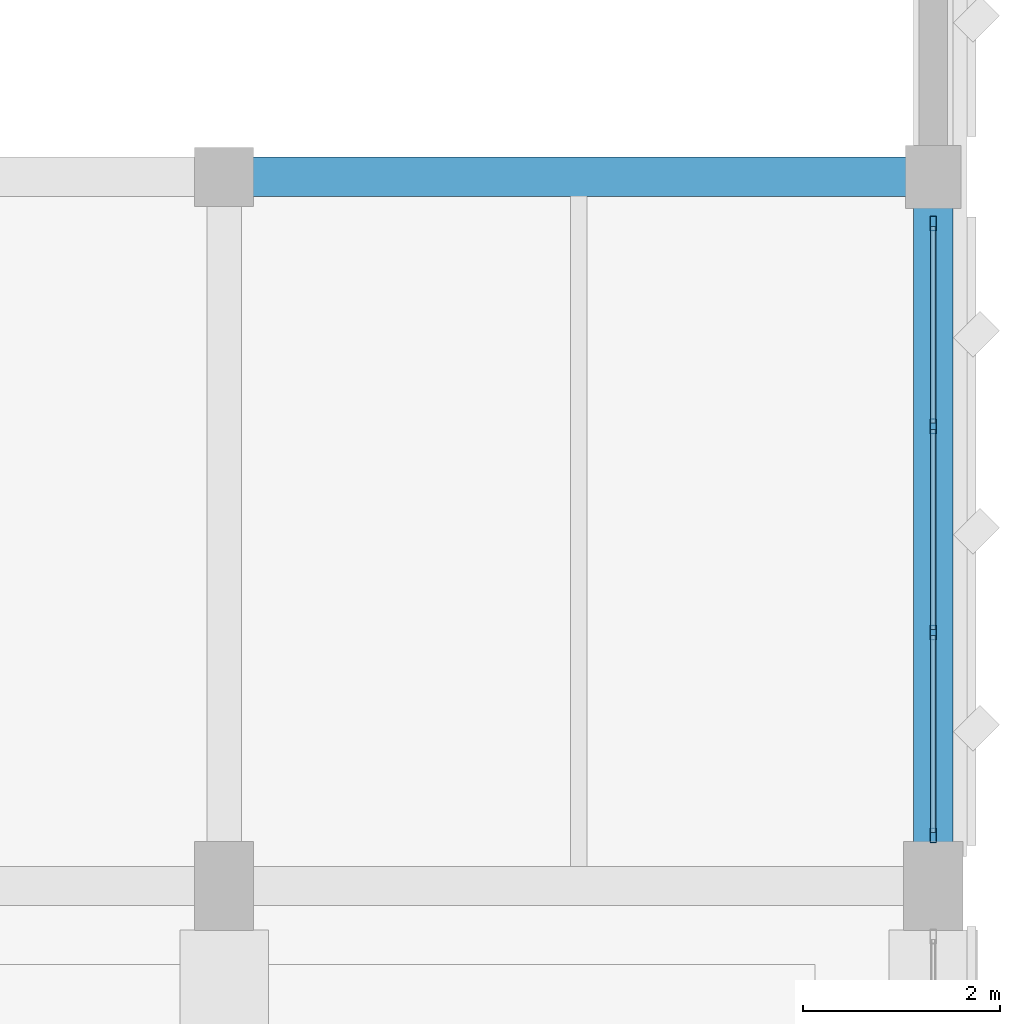
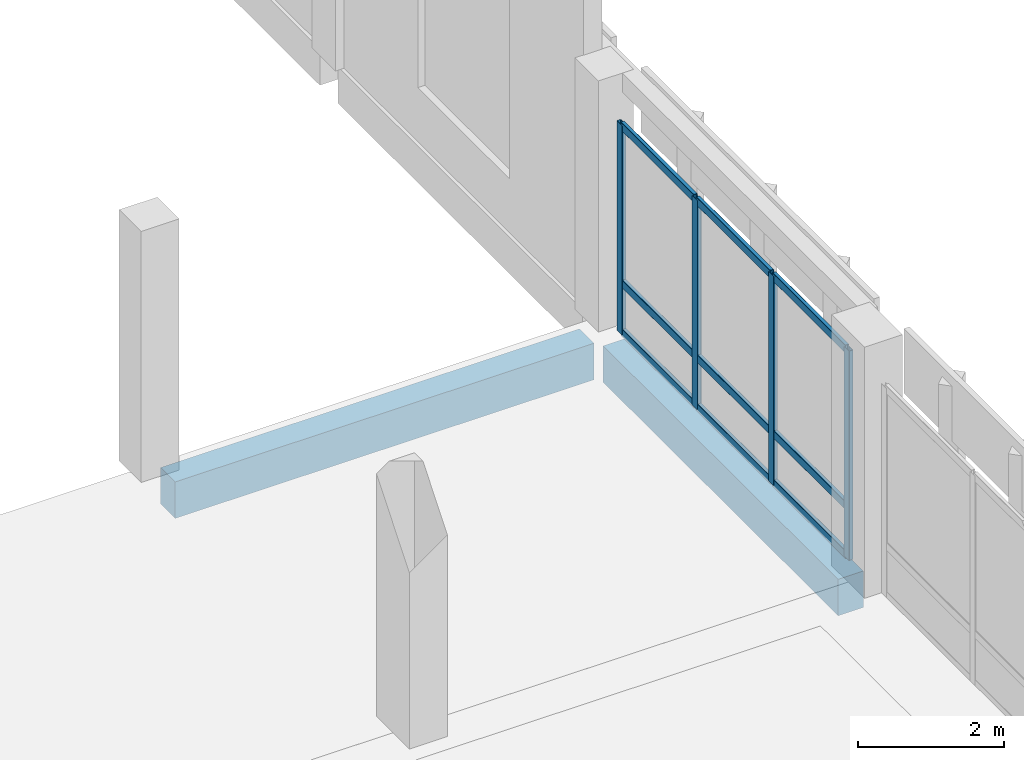
# One storey, part 95 of 158: 13 members, 2 beams, 1 element without a shape of its own.
"""IFC4 building model written with IfcOpenShell, lengths in metres."""

from ifc_helpers import new_model, si_unit, direction, frame, origin, origin_2d, place, context, subcontext, project, spatial, rectangle, hollow_rectangle, extrude, material, material_profile, profile_set, type_object, element, aggregate, save


model = new_model("IFC4")

# Units and contexts
model_context = context("Model", 3, precision=1e-05, world=origin(), true_north=direction((0.0, 1.0)))
body_context = subcontext(model_context, "Body", "Model", "MODEL_VIEW")
ifc_project = project(units=[si_unit("LENGTHUNIT", "METRE"), si_unit("AREAUNIT", "SQUARE_METRE"), si_unit("VOLUMEUNIT", "CUBIC_METRE"), si_unit("PLANEANGLEUNIT", "RADIAN"), si_unit("MASSUNIT", "GRAM", prefix="KILO")], contexts=[model_context])

# Site, building, storey
site_placement = place(None, origin())
site = spatial("IfcSite", under=ifc_project, at=site_placement, CompositionType="ELEMENT")
building_placement = place(site_placement, origin())
building = spatial("IfcBuilding", under=site, at=building_placement, Name="Lusvemor Sports Hall", CompositionType="ELEMENT")
storey_placement = place(building_placement, frame((0.0, 0.0, 10.800048828125)))
storey = spatial("IfcBuildingStorey", under=building, at=storey_placement, Name="L02", CompositionType="ELEMENT", Elevation=10.800048828125)

# Curtain wall, members
ifc_material_1 = material(Name="Thermally broken bronze-anodized aluminium", Category="aluminium")
curtain_wall_type = type_object("IfcCurtainWallType", Name="CW_PASSAGE_E", PredefinedType="NOTDEFINED", material=ifc_material_1)
curtain_wall_placement = place(storey_placement, origin())
curtain_wall = element("IfcCurtainWall", 1, at=curtain_wall_placement, inside=storey, type_object=curtain_wall_type, Name="Curtain Wall CW-ELINK-169-L02", PredefinedType="NOTDEFINED")
ifc_material_2 = material(Name="Thermally broken bronze-anodized aluminium", Category="aluminium")
ifc_material_profile_1 = material_profile(ifc_material_2, hollow_rectangle(XDim=0.06494140625, YDim=0.14990234375, WallThickness=0.00390625, InnerFilletRadius=0.00390625, OuterFilletRadius=0.008056640625, at=origin_2d()), Name="CWMUL150x65x4")
ifc_profile_set_1 = profile_set([ifc_material_profile_1], Name="Thermally broken bronze-anodized aluminium")
member_type_1 = type_object("IfcMemberType", Name="CW_MUL_B", PredefinedType="MULLION", material=ifc_profile_set_1)
member_1_placement = place(storey_placement, frame((169.199951171875, 40.112548828125, 0.0), z_axis=(0.0, 0.0, 1.0), x_axis=(-1.0, 0.0, 0.0)))
member_1 = element("IfcMember", 2, at=member_1_placement, type_object=member_type_1, Name="CW05 mullion 1", PredefinedType="MULLION", context=body_context, shape_type="SweptSolid", body=[
    extrude(hollow_rectangle(XDim=0.06494140625, YDim=0.14990234375, WallThickness=0.00390625, InnerFilletRadius=0.00390625, OuterFilletRadius=0.008056640625, at=origin_2d()), origin(), (0.0, 0.0, 1.0), 3.5),
])
member_2_placement = place(storey_placement, frame((169.199951171875, 42.17333984375, 0.0), z_axis=(0.0, 0.0, 1.0), x_axis=(-1.0, 0.0, 0.0)))
member_2 = element("IfcMember", 3, at=member_2_placement, type_object=member_type_1, Name="CW05 mullion 2", PredefinedType="MULLION", context=body_context, shape_type="SweptSolid", body=[
    extrude(hollow_rectangle(XDim=0.06494140625, YDim=0.14990234375, WallThickness=0.00390625, InnerFilletRadius=0.00390625, OuterFilletRadius=0.008056640625, at=origin_2d()), origin(), (0.0, 0.0, 1.0), 3.5),
])
member_3_placement = place(storey_placement, frame((169.199951171875, 44.2666015625, 0.0), z_axis=(0.0, 0.0, 1.0), x_axis=(-1.0, 0.0, 0.0)))
member_3 = element("IfcMember", 4, at=member_3_placement, type_object=member_type_1, Name="CW05 mullion 3", PredefinedType="MULLION", context=body_context, shape_type="SweptSolid", body=[
    extrude(hollow_rectangle(XDim=0.06494140625, YDim=0.14990234375, WallThickness=0.00390625, InnerFilletRadius=0.00390625, OuterFilletRadius=0.008056640625, at=origin_2d()), origin(), (0.0, 0.0, 1.0), 3.5),
])
member_4_placement = place(storey_placement, frame((169.199951171875, 46.327392578125, 0.0), z_axis=(0.0, 0.0, 1.0), x_axis=(-1.0, 0.0, 0.0)))
member_4 = element("IfcMember", 5, at=member_4_placement, type_object=member_type_1, Name="CW05 mullion 4", PredefinedType="MULLION", context=body_context, shape_type="SweptSolid", body=[
    extrude(hollow_rectangle(XDim=0.06494140625, YDim=0.14990234375, WallThickness=0.00390625, InnerFilletRadius=0.00390625, OuterFilletRadius=0.008056640625, at=origin_2d()), origin(), (0.0, 0.0, 1.0), 3.5),
])
ifc_material_3 = material(Name="Thermally broken bronze-anodized aluminium", Category="aluminium")
ifc_material_profile_2 = material_profile(ifc_material_3, hollow_rectangle(XDim=0.06005859375, YDim=0.135009765625, WallThickness=0.00390625, InnerFilletRadius=0.00390625, OuterFilletRadius=0.008056640625, at=origin_2d()), Name="CWTRN135x60x4")
ifc_profile_set_2 = profile_set([ifc_material_profile_2], Name="Thermally broken bronze-anodized aluminium")
member_type_2 = type_object("IfcMemberType", Name="CW_TRN_B", PredefinedType="USERDEFINED", material=ifc_profile_set_2)
member_5_placement = place(storey_placement, frame((169.199951171875, 40.14501953125, 0.030029296875), z_axis=(0.0, 1.0, 0.0), x_axis=(-1.0, 0.0, 0.0)))
member_5 = element("IfcMember", 6, at=member_5_placement, type_object=member_type_2, Name="CW05 transom 1.1", ObjectType="TRANSOM", PredefinedType="USERDEFINED", context=body_context, shape_type="SweptSolid", body=[
    extrude(hollow_rectangle(XDim=0.06005859375, YDim=0.135009765625, WallThickness=0.00390625, InnerFilletRadius=0.00390625, OuterFilletRadius=0.008056640625, at=origin_2d()), origin(), (0.0, 0.0, 1.0), 1.995849609375),
])
member_6_placement = place(storey_placement, frame((169.199951171875, 40.14501953125, 0.849853515625), z_axis=(0.0, 1.0, 0.0), x_axis=(-1.0, 0.0, 0.0)))
member_6 = element("IfcMember", 7, at=member_6_placement, type_object=member_type_2, Name="CW05 transom 1.2", ObjectType="TRANSOM", PredefinedType="USERDEFINED", context=body_context, shape_type="SweptSolid", body=[
    extrude(hollow_rectangle(XDim=0.06005859375, YDim=0.135009765625, WallThickness=0.00390625, InnerFilletRadius=0.00390625, OuterFilletRadius=0.008056640625, at=origin_2d()), origin(), (0.0, 0.0, 1.0), 1.995849609375),
])
member_7_placement = place(storey_placement, frame((169.199951171875, 40.14501953125, 3.469970703125), z_axis=(0.0, 1.0, 0.0), x_axis=(-1.0, 0.0, 0.0)))
member_7 = element("IfcMember", 8, at=member_7_placement, type_object=member_type_2, Name="CW05 transom 1.3", ObjectType="TRANSOM", PredefinedType="USERDEFINED", context=body_context, shape_type="SweptSolid", body=[
    extrude(hollow_rectangle(XDim=0.06005859375, YDim=0.135009765625, WallThickness=0.00390625, InnerFilletRadius=0.00390625, OuterFilletRadius=0.008056640625, at=origin_2d()), origin(), (0.0, 0.0, 1.0), 1.995849609375),
])
member_8_placement = place(storey_placement, frame((169.199951171875, 42.205810546875, 0.030029296875), z_axis=(0.0, 1.0, 0.0), x_axis=(-1.0, 0.0, 0.0)))
member_8 = element("IfcMember", 9, at=member_8_placement, type_object=member_type_2, Name="CW05 transom 2.1", ObjectType="TRANSOM", PredefinedType="USERDEFINED", context=body_context, shape_type="SweptSolid", body=[
    extrude(hollow_rectangle(XDim=0.06005859375, YDim=0.135009765625, WallThickness=0.00390625, InnerFilletRadius=0.00390625, OuterFilletRadius=0.008056640625, at=origin_2d()), origin(), (0.0, 0.0, 1.0), 2.0283203125),
])
member_9_placement = place(storey_placement, frame((169.199951171875, 42.205810546875, 0.849853515625), z_axis=(0.0, 1.0, 0.0), x_axis=(-1.0, 0.0, 0.0)))
member_9 = element("IfcMember", 10, at=member_9_placement, type_object=member_type_2, Name="CW05 transom 2.2", ObjectType="TRANSOM", PredefinedType="USERDEFINED", context=body_context, shape_type="SweptSolid", body=[
    extrude(hollow_rectangle(XDim=0.06005859375, YDim=0.135009765625, WallThickness=0.00390625, InnerFilletRadius=0.00390625, OuterFilletRadius=0.008056640625, at=origin_2d()), origin(), (0.0, 0.0, 1.0), 2.0283203125),
])
member_10_placement = place(storey_placement, frame((169.199951171875, 42.205810546875, 3.469970703125), z_axis=(0.0, 1.0, 0.0), x_axis=(-1.0, 0.0, 0.0)))
member_10 = element("IfcMember", 11, at=member_10_placement, type_object=member_type_2, Name="CW05 transom 2.3", ObjectType="TRANSOM", PredefinedType="USERDEFINED", context=body_context, shape_type="SweptSolid", body=[
    extrude(hollow_rectangle(XDim=0.06005859375, YDim=0.135009765625, WallThickness=0.00390625, InnerFilletRadius=0.00390625, OuterFilletRadius=0.008056640625, at=origin_2d()), origin(), (0.0, 0.0, 1.0), 2.0283203125),
])
member_11_placement = place(storey_placement, frame((169.199951171875, 44.299072265625, 0.030029296875), z_axis=(0.0, 1.0, 0.0), x_axis=(-1.0, 0.0, 0.0)))
member_11 = element("IfcMember", 12, at=member_11_placement, type_object=member_type_2, Name="CW05 transom 3.1", ObjectType="TRANSOM", PredefinedType="USERDEFINED", context=body_context, shape_type="SweptSolid", body=[
    extrude(hollow_rectangle(XDim=0.06005859375, YDim=0.135009765625, WallThickness=0.00390625, InnerFilletRadius=0.00390625, OuterFilletRadius=0.008056640625, at=origin_2d()), origin(), (0.0, 0.0, 1.0), 1.995849609375),
])
member_12_placement = place(storey_placement, frame((169.199951171875, 44.299072265625, 0.849853515625), z_axis=(0.0, 1.0, 0.0), x_axis=(-1.0, 0.0, 0.0)))
member_12 = element("IfcMember", 13, at=member_12_placement, type_object=member_type_2, Name="CW05 transom 3.2", ObjectType="TRANSOM", PredefinedType="USERDEFINED", context=body_context, shape_type="SweptSolid", body=[
    extrude(hollow_rectangle(XDim=0.06005859375, YDim=0.135009765625, WallThickness=0.00390625, InnerFilletRadius=0.00390625, OuterFilletRadius=0.008056640625, at=origin_2d()), origin(), (0.0, 0.0, 1.0), 1.995849609375),
])
member_13_placement = place(storey_placement, frame((169.199951171875, 44.299072265625, 3.469970703125), z_axis=(0.0, 1.0, 0.0), x_axis=(-1.0, 0.0, 0.0)))
member_13 = element("IfcMember", 14, at=member_13_placement, type_object=member_type_2, Name="CW05 transom 3.3", ObjectType="TRANSOM", PredefinedType="USERDEFINED", context=body_context, shape_type="SweptSolid", body=[
    extrude(hollow_rectangle(XDim=0.06005859375, YDim=0.135009765625, WallThickness=0.00390625, InnerFilletRadius=0.00390625, OuterFilletRadius=0.008056640625, at=origin_2d()), origin(), (0.0, 0.0, 1.0), 1.995849609375),
])
aggregate(curtain_wall, [member_1, member_2, member_3, member_4, member_5, member_6, member_7, member_8, member_9, member_10, member_11, member_12, member_13])

# Beams
ifc_material_4 = material(Name="Concrete C40/50", Category="concrete")
ifc_material_profile_3 = material_profile(ifc_material_4, rectangle(XDim=0.39990234375, YDim=0.610107421875, at=origin_2d()), Name="RC400x610")
ifc_profile_set_3 = profile_set([ifc_material_profile_3], Name="Concrete C40/50")
beam_type = type_object("IfcBeamType", Name="SPAND_EXT_650", PredefinedType="SPANDREL", material=ifc_profile_set_3)
beam_1_placement = place(storey_placement, frame((162.2958984375, 46.800048828125, -0.56494140625), z_axis=(1.0, 0.0, 0.0), x_axis=(0.0, 1.0, 0.0)))
element("IfcBeam", 15, at=beam_1_placement, inside=storey, type_object=beam_type, Name="Beam L02 F:19-20", PredefinedType="SPANDREL", context=body_context, shape_type="SweptSolid", body=[
    extrude(rectangle(XDim=0.39990234375, YDim=0.610107421875, at=origin_2d()), origin(), (0.0, 0.0, 1.0), 6.628173828125),
])
beam_2_placement = place(storey_placement, frame((169.199951171875, 40.0458984375, -0.56494140625), z_axis=(0.0, 1.0, 0.0), x_axis=(-1.0, 0.0, 0.0)))
element("IfcBeam", 16, at=beam_2_placement, inside=storey, type_object=beam_type, Name="Beam L02 20:E-F", PredefinedType="SPANDREL", context=body_context, shape_type="SweptSolid", body=[
    extrude(rectangle(XDim=0.39990234375, YDim=0.610107421875, at=origin_2d()), origin(), (0.0, 0.0, 1.0), 6.43798828125),
])

save(model, "model.ifc")
